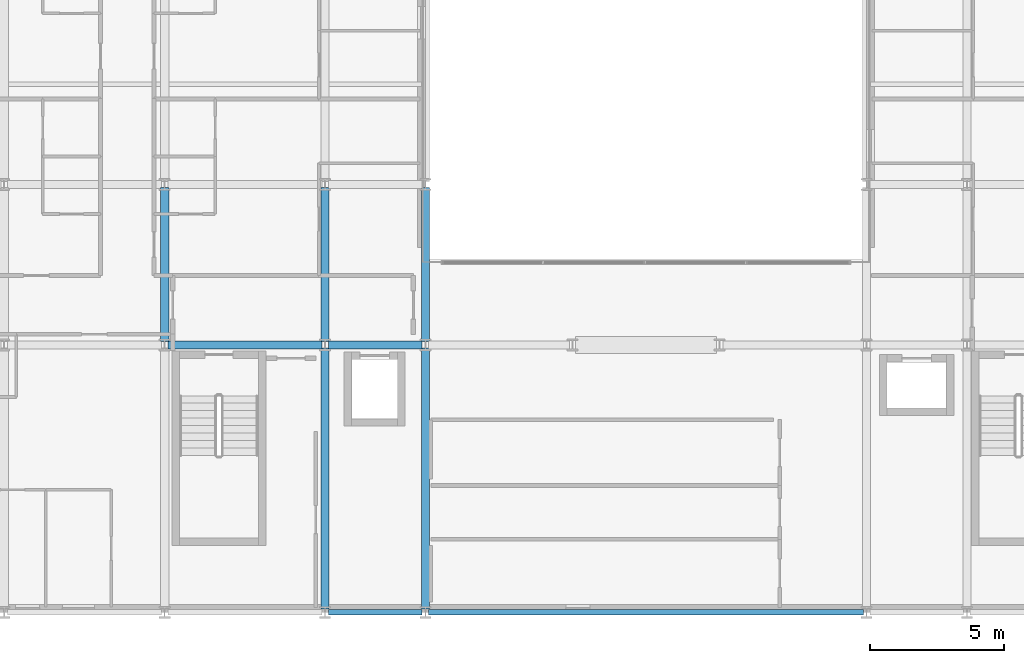
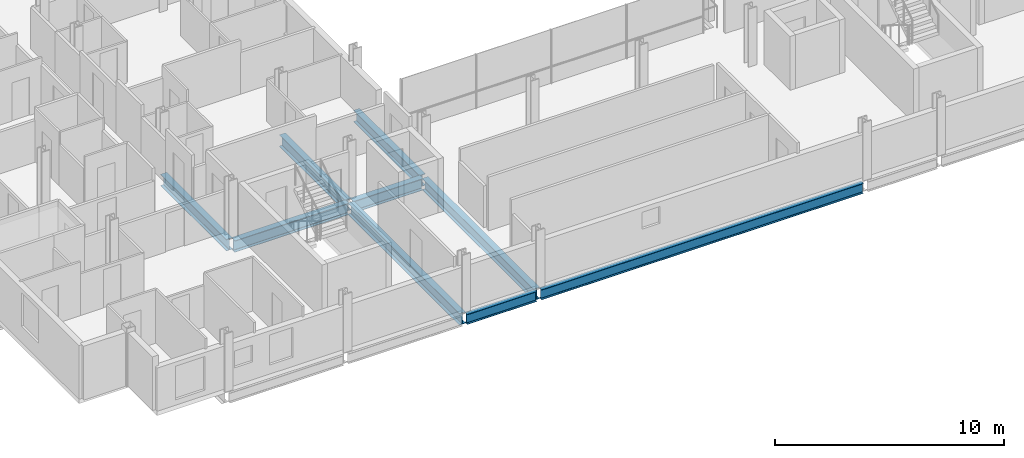
# One storey, part 3 of 39: 9 beams.
"""IFC4 building model written with IfcOpenShell, lengths in metres."""

from ifc_helpers import new_model, si_unit, direction, frame, origin, origin_2d, place, context, subcontext, project, spatial, i_section, extrude, material, material_profile, profile_set, type_object, element, save


model = new_model("IFC4")

# Units and contexts
model_context = context("Model", 3, precision=1e-05, world=origin(), true_north=direction((0.0, 1.0)))
body_context = subcontext(model_context, "Body", "Model", "MODEL_VIEW")
ifc_project = project(units=[si_unit("LENGTHUNIT", "METRE"), si_unit("AREAUNIT", "SQUARE_METRE"), si_unit("VOLUMEUNIT", "CUBIC_METRE"), si_unit("PLANEANGLEUNIT", "RADIAN"), si_unit("MASSUNIT", "GRAM", prefix="KILO")], contexts=[model_context])

# Site, building, storey
site_placement = place(None, origin())
site = spatial("IfcSite", under=ifc_project, at=site_placement, CompositionType="ELEMENT")
building_placement = place(site_placement, origin())
building = spatial("IfcBuilding", under=site, at=building_placement, Name="Brevholm Reach", CompositionType="ELEMENT")
storey_placement = place(building_placement, frame((0.0, 0.0, 83.800048828125)))
storey = spatial("IfcBuildingStorey", under=building, at=storey_placement, Name="L24", CompositionType="ELEMENT", Elevation=83.800048828125)

# Beams
ifc_material_1 = material(Name="Structural Steel S355J2", Category="steel")
ifc_material_profile_1 = material_profile(ifc_material_1, i_section(OverallWidth=0.210693359375, OverallDepth=0.53955078125, WebThickness=0.01171875, FlangeThickness=0.018798828125, FilletRadius=0.0126953125, at=origin_2d()), Name="UKB 533x210x109")
ifc_profile_set_1 = profile_set([ifc_material_profile_1], Name="Structural Steel S355J2")
beam_type_1 = type_object("IfcBeamType", Name="BM-SP539", PredefinedType="SPANDREL", material=ifc_profile_set_1)
beam_1_placement = place(storey_placement, frame((18.1201171875, 0.0, -0.499755859375), z_axis=(1.0, 0.0, 0.0), x_axis=(0.0, 1.0, 0.0)))
element("IfcBeam", 1, at=beam_1_placement, inside=storey, type_object=beam_type_1, Name="L24 SP-01B Framing Beam", PredefinedType="SPANDREL", context=body_context, shape_type="SweptSolid", body=[
    extrude(i_section(OverallWidth=0.210693359375, OverallDepth=0.53955078125, WebThickness=0.01171875, FlangeThickness=0.018798828125, FilletRadius=0.0126953125, at=origin_2d()), origin(), (0.0, 0.0, 1.0), 3.509765625),
])
beam_2_placement = place(storey_placement, frame((21.8701171875, 0.0, -0.499755859375), z_axis=(1.0, 0.0, 0.0), x_axis=(0.0, 1.0, 0.0)))
element("IfcBeam", 2, at=beam_2_placement, inside=storey, type_object=beam_type_1, Name="L24 SP-01B Framing Beam", PredefinedType="SPANDREL", context=body_context, shape_type="SweptSolid", body=[
    extrude(i_section(OverallWidth=0.210693359375, OverallDepth=0.53955078125, WebThickness=0.01171875, FlangeThickness=0.018798828125, FilletRadius=0.0126953125, at=origin_2d()), origin(), (0.0, 0.0, 1.0), 16.259765625),
])
ifc_material_2 = material(Name="Structural Steel S355J2", Category="steel")
ifc_material_profile_2 = material_profile(ifc_material_2, i_section(OverallWidth=0.30712890625, OverallDepth=0.6201171875, WebThickness=0.01416015625, FlangeThickness=0.023681640625, FilletRadius=0.0166015625, at=origin_2d()), Name="UKB 610x305x179")
ifc_profile_set_2 = profile_set([ifc_material_profile_2], Name="Structural Steel S355J2")
beam_type_2 = type_object("IfcBeamType", Name="BM-UKB610H", PredefinedType="USERDEFINED", material=ifc_profile_set_2)
beam_3_placement = place(storey_placement, frame((12.1201171875, 10.0, -0.5400390625), z_axis=(1.0, 0.0, 0.0), x_axis=(0.0, 1.0, 0.0)))
element("IfcBeam", 3, at=beam_3_placement, inside=storey, type_object=beam_type_2, Name="L24 G-06 Framing Beam", ObjectType="GIRDER", PredefinedType="USERDEFINED", context=body_context, shape_type="SweptSolid", body=[
    extrude(i_section(OverallWidth=0.30712890625, OverallDepth=0.6201171875, WebThickness=0.01416015625, FlangeThickness=0.023681640625, FilletRadius=0.0166015625, at=origin_2d()), origin(), (0.0, 0.0, 1.0), 5.759765625),
])
beam_4_placement = place(storey_placement, frame((18.1201171875, 10.0, -0.5400390625), z_axis=(1.0, 0.0, 0.0), x_axis=(0.0, 1.0, 0.0)))
element("IfcBeam", 4, at=beam_4_placement, inside=storey, type_object=beam_type_2, Name="L24 G-06 Framing Beam", ObjectType="GIRDER", PredefinedType="USERDEFINED", context=body_context, shape_type="SweptSolid", body=[
    extrude(i_section(OverallWidth=0.30712890625, OverallDepth=0.6201171875, WebThickness=0.01416015625, FlangeThickness=0.023681640625, FilletRadius=0.0166015625, at=origin_2d()), origin(), (0.0, 0.0, 1.0), 3.509765625),
])
beam_5_placement = place(storey_placement, frame((12.0, 10.1201171875, -0.5400390625), z_axis=(0.0, 1.0, 0.0), x_axis=(-1.0, 0.0, 0.0)))
element("IfcBeam", 5, at=beam_5_placement, inside=storey, type_object=beam_type_2, Name="L24 G-06 Framing Beam", ObjectType="GIRDER", PredefinedType="USERDEFINED", context=body_context, shape_type="SweptSolid", body=[
    extrude(i_section(OverallWidth=0.30712890625, OverallDepth=0.6201171875, WebThickness=0.01416015625, FlangeThickness=0.023681640625, FilletRadius=0.0166015625, at=origin_2d()), origin(), (0.0, 0.0, 1.0), 5.759765625),
])
beam_6_placement = place(storey_placement, frame((18.0, 0.1201171875, -0.5400390625), z_axis=(0.0, 1.0, 0.0), x_axis=(-1.0, 0.0, 0.0)))
element("IfcBeam", 6, at=beam_6_placement, inside=storey, type_object=beam_type_2, Name="L24 G-06 Framing Beam", ObjectType="GIRDER", PredefinedType="USERDEFINED", context=body_context, shape_type="SweptSolid", body=[
    extrude(i_section(OverallWidth=0.30712890625, OverallDepth=0.6201171875, WebThickness=0.01416015625, FlangeThickness=0.023681640625, FilletRadius=0.0166015625, at=origin_2d()), origin(), (0.0, 0.0, 1.0), 9.759765625),
])
beam_7_placement = place(storey_placement, frame((18.0, 10.1201171875, -0.5400390625), z_axis=(0.0, 1.0, 0.0), x_axis=(-1.0, 0.0, 0.0)))
element("IfcBeam", 7, at=beam_7_placement, inside=storey, type_object=beam_type_2, Name="L24 G-06 Framing Beam", ObjectType="GIRDER", PredefinedType="USERDEFINED", context=body_context, shape_type="SweptSolid", body=[
    extrude(i_section(OverallWidth=0.30712890625, OverallDepth=0.6201171875, WebThickness=0.01416015625, FlangeThickness=0.023681640625, FilletRadius=0.0166015625, at=origin_2d()), origin(), (0.0, 0.0, 1.0), 5.759765625),
])
beam_8_placement = place(storey_placement, frame((21.75, 0.1201171875, -0.5400390625), z_axis=(0.0, 1.0, 0.0), x_axis=(-1.0, 0.0, 0.0)))
element("IfcBeam", 8, at=beam_8_placement, inside=storey, type_object=beam_type_2, Name="L24 G-06 Framing Beam", ObjectType="GIRDER", PredefinedType="USERDEFINED", context=body_context, shape_type="SweptSolid", body=[
    extrude(i_section(OverallWidth=0.30712890625, OverallDepth=0.6201171875, WebThickness=0.01416015625, FlangeThickness=0.023681640625, FilletRadius=0.0166015625, at=origin_2d()), origin(), (0.0, 0.0, 1.0), 9.759765625),
])
beam_9_placement = place(storey_placement, frame((21.75, 10.1201171875, -0.5400390625), z_axis=(0.0, 1.0, 0.0), x_axis=(-1.0, 0.0, 0.0)))
element("IfcBeam", 9, at=beam_9_placement, inside=storey, type_object=beam_type_2, Name="L24 G-06 Framing Beam", ObjectType="GIRDER", PredefinedType="USERDEFINED", context=body_context, shape_type="SweptSolid", body=[
    extrude(i_section(OverallWidth=0.30712890625, OverallDepth=0.6201171875, WebThickness=0.01416015625, FlangeThickness=0.023681640625, FilletRadius=0.0166015625, at=origin_2d()), origin(), (0.0, 0.0, 1.0), 5.759765625),
])

save(model, "model.ifc")
